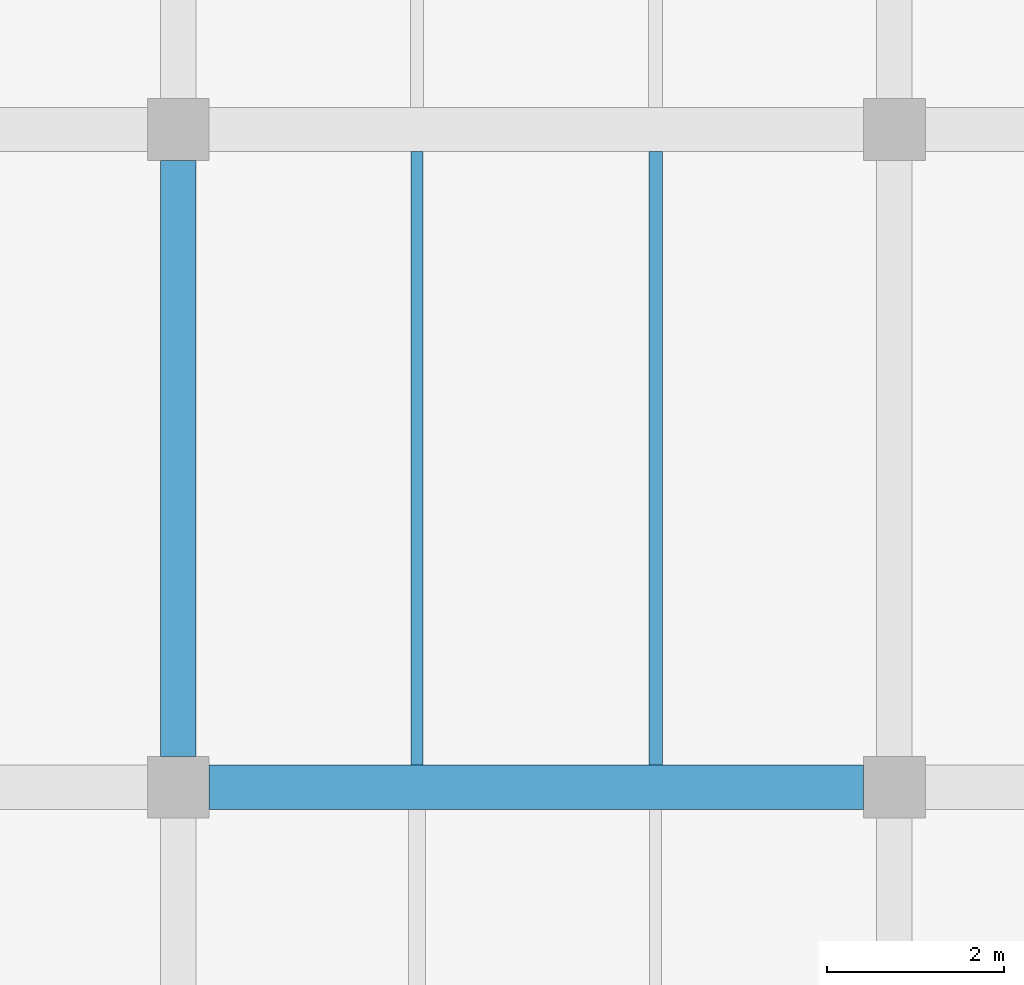
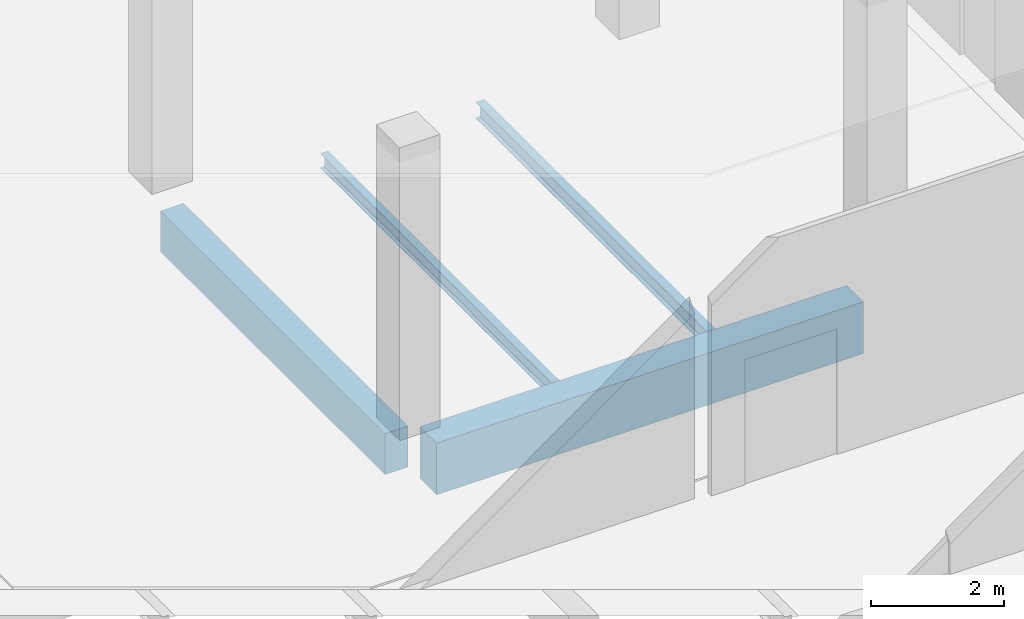
# One storey, part 243 of 372: 4 beams.
"""IFC4 building model written with IfcOpenShell, lengths in metres."""

from ifc_helpers import new_model, si_unit, direction, frame, origin, origin_2d, place, context, subcontext, project, spatial, rectangle, i_section, extrude, material, material_profile, profile_set, type_object, element, save


model = new_model("IFC4")

# Units and contexts
model_context = context("Model", 3, precision=1e-05, world=origin(), true_north=direction((0.0, 1.0)))
body_context = subcontext(model_context, "Body", "Model", "MODEL_VIEW")
ifc_project = project(units=[si_unit("LENGTHUNIT", "METRE"), si_unit("AREAUNIT", "SQUARE_METRE"), si_unit("VOLUMEUNIT", "CUBIC_METRE"), si_unit("PLANEANGLEUNIT", "RADIAN"), si_unit("MASSUNIT", "GRAM", prefix="KILO")], contexts=[model_context])

# Site, building, storey
site_placement = place(None, origin())
site = spatial("IfcSite", under=ifc_project, at=site_placement, CompositionType="ELEMENT")
building_placement = place(site_placement, origin())
building = spatial("IfcBuilding", under=site, at=building_placement, Name="Kaelora Sail Theatre", CompositionType="ELEMENT")
storey_placement = place(building_placement, origin())
storey = spatial("IfcBuildingStorey", under=building, at=storey_placement, Name="L00", CompositionType="ELEMENT", Elevation=0.0)

# Beams
ifc_material_1 = material(Name="Concrete C40/50", Category="concrete")
ifc_material_profile_1 = material_profile(ifc_material_1, rectangle(XDim=0.39990234375, YDim=0.75, at=origin_2d()), Name="RC-BM 400x750")
ifc_profile_set_1 = profile_set([ifc_material_profile_1], Name="Concrete C40/50")
beam_type_1 = type_object("IfcBeamType", Name="STR-BM-BM-RC4075", PredefinedType="BEAM", material=ifc_profile_set_1)
beam_1_placement = place(storey_placement, frame((9.60009765625, 68.81005859375, -0.695068359375), z_axis=(0.0, 1.0, 0.0), x_axis=(-1.0, 0.0, 0.0)))
element("IfcBeam", 1, at=beam_1_placement, inside=storey, type_object=beam_type_1, Name="Primary beam 2 J-K (L00)", PredefinedType="BEAM", context=body_context, shape_type="SweptSolid", body=[
    extrude(rectangle(XDim=0.39990234375, YDim=0.75, at=origin_2d()), origin(), (0.0, 0.0, 1.0), 6.739990234375),
])
ifc_material_2 = material(Name="Concrete C45/55", Category="concrete")
ifc_material_profile_2 = material_profile(ifc_material_2, rectangle(XDim=0.5, YDim=0.949951171875, at=origin_2d()), Name="RC-GRD 500x950")
ifc_profile_set_2 = profile_set([ifc_material_profile_2], Name="Concrete C45/55")
beam_type_2 = type_object("IfcBeamType", Name="STR-BM-GR-RC5095", PredefinedType="T_BEAM", material=ifc_profile_set_2)
beam_2_placement = place(storey_placement, frame((9.949951171875, 68.4599609375, -0.794921875), z_axis=(1.0, 0.0, 0.0), x_axis=(0.0, 1.0, 0.0)))
element("IfcBeam", 2, at=beam_2_placement, inside=storey, type_object=beam_type_2, Name="Primary beam J 2-3 (L00)", PredefinedType="T_BEAM", context=body_context, shape_type="SweptSolid", body=[
    extrude(rectangle(XDim=0.5, YDim=0.949951171875, at=origin_2d()), origin(), (0.0, 0.0, 1.0), 7.400146484375),
])
ifc_material_3 = material(Name="Steel S355", Category="steel")
ifc_material_profile_3 = material_profile(ifc_material_3, i_section(OverallWidth=0.135009765625, OverallDepth=0.27001953125, WebThickness=0.006591796875, FlangeThickness=0.01025390625, FilletRadius=0.014892578125, at=origin_2d()), Name="IPE 270")
ifc_profile_set_3 = profile_set([ifc_material_profile_3], Name="Steel S355")
beam_type_3 = type_object("IfcBeamType", Name="STR-BM-JS-IPE270", PredefinedType="JOIST", material=ifc_profile_set_3)
beam_3_placement = place(storey_placement, frame((12.300048828125, 68.7099609375, -0.455078125), z_axis=(0.0, 1.0, 0.0), x_axis=(-1.0, 0.0, 0.0)))
element("IfcBeam", 3, at=beam_3_placement, inside=storey, type_object=beam_type_3, Name="Secondary floor joist 2/J-1 (L00)", PredefinedType="JOIST", context=body_context, shape_type="SweptSolid", body=[
    extrude(i_section(OverallWidth=0.135009765625, OverallDepth=0.27001953125, WebThickness=0.006591796875, FlangeThickness=0.01025390625, FilletRadius=0.014892578125, at=origin_2d()), origin(), (0.0, 0.0, 1.0), 6.93994140625),
])
ifc_material_4 = material(Name="Steel S355", Category="steel")
ifc_material_profile_4 = material_profile(ifc_material_4, i_section(OverallWidth=0.14990234375, OverallDepth=0.300048828125, WebThickness=0.007080078125, FlangeThickness=0.0107421875, FilletRadius=0.014892578125, at=origin_2d()), Name="IPE 300")
ifc_profile_set_4 = profile_set([ifc_material_profile_4], Name="Steel S355")
beam_type_4 = type_object("IfcBeamType", Name="STR-BM-JS-IPE300", PredefinedType="JOIST", material=ifc_profile_set_4)
beam_4_placement = place(storey_placement, frame((15.0, 68.7099609375, -0.469970703125), z_axis=(0.0, 1.0, 0.0), x_axis=(-1.0, 0.0, 0.0)))
element("IfcBeam", 4, at=beam_4_placement, inside=storey, type_object=beam_type_4, Name="Secondary floor joist 2/J-2 (L00)", PredefinedType="JOIST", context=body_context, shape_type="SweptSolid", body=[
    extrude(i_section(OverallWidth=0.14990234375, OverallDepth=0.300048828125, WebThickness=0.007080078125, FlangeThickness=0.0107421875, FilletRadius=0.014892578125, at=origin_2d()), origin(), (0.0, 0.0, 1.0), 6.93994140625),
])

save(model, "model.ifc")
